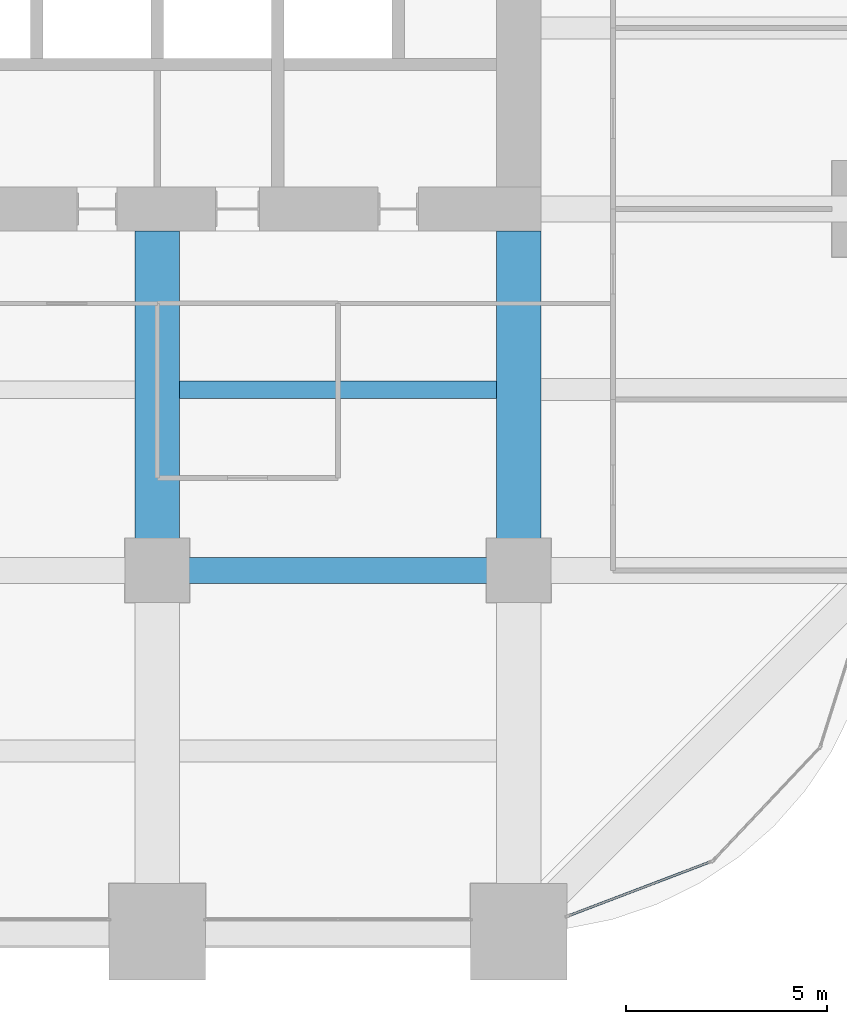
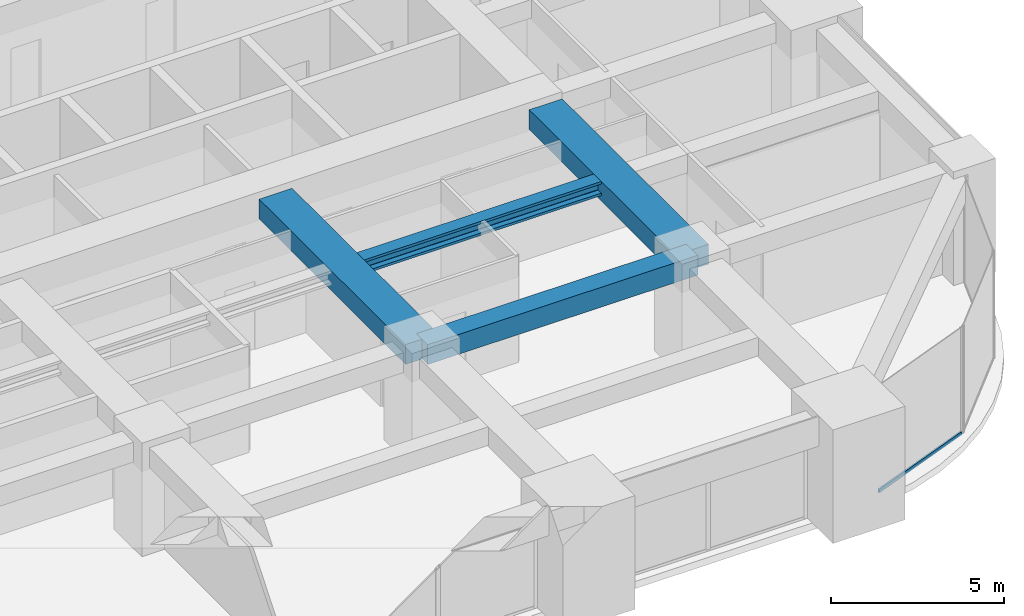
# One storey, part 15 of 32: 4 beams, 1 member, 1 element without a shape of its own.
"""IFC4 building model written with IfcOpenShell, lengths in metres."""

from ifc_helpers import new_model, si_unit, direction, frame, origin, origin_2d, place, context, subcontext, project, spatial, rectangle, hollow_rectangle, i_section, extrude, material, material_profile, profile_set, type_object, element, aggregate, save


model = new_model("IFC4")

# Units and contexts
model_context = context("Model", 3, precision=1e-05, world=origin(), true_north=direction((0.0, 1.0)))
body_context = subcontext(model_context, "Body", "Model", "MODEL_VIEW")
ifc_project = project(units=[si_unit("LENGTHUNIT", "METRE"), si_unit("AREAUNIT", "SQUARE_METRE"), si_unit("VOLUMEUNIT", "CUBIC_METRE"), si_unit("PLANEANGLEUNIT", "RADIAN"), si_unit("MASSUNIT", "GRAM", prefix="KILO")], contexts=[model_context])

# Site, building, storey
site_placement = place(None, origin())
site = spatial("IfcSite", under=ifc_project, at=site_placement, CompositionType="ELEMENT")
building_placement = place(site_placement, origin())
building = spatial("IfcBuilding", under=site, at=building_placement, Name="Zorevar Civic Tower", CompositionType="ELEMENT")
storey_placement = place(building_placement, frame((0.0, 0.0, 190.199951171875)))
storey = spatial("IfcBuildingStorey", under=building, at=storey_placement, Name="L46", CompositionType="ELEMENT", Elevation=190.199951171875)

# Beams
ifc_material_1 = material(Name="Concrete C50/60", Category="concrete")
ifc_material_profile_1 = material_profile(ifc_material_1, rectangle(XDim=1.10009765625, YDim=0.699951171875, at=origin_2d()), Name="RC 1100x700")
ifc_profile_set_1 = profile_set([ifc_material_profile_1], Name="Concrete C50/60")
beam_type_1 = type_object("IfcBeamType", Name="Beam RC 1100x700", PredefinedType="BEAM", material=ifc_profile_set_1)
for number, where, z_axis, x_axis, name in (
    (1, (36.0, 9.0, 3.400146484375), (0.0, 1.0, 0.0), (-1.0, 0.0, 0.0), "Girder L47"),
    (2, (45.0, 9.0, 3.400146484375), (0.0, 1.0, 0.0), (-1.0, 0.0, 0.0), "Girder L47"),
):
    element("IfcBeam", number, at=place(storey_placement, frame(where, z_axis=z_axis, x_axis=x_axis)), inside=storey, type_object=beam_type_1, Name=name, PredefinedType="BEAM", context=body_context, shape_type="SweptSolid", body=[
        extrude(rectangle(XDim=1.10009765625, YDim=0.699951171875, at=origin_2d()), origin(), (0.0, 0.0, 1.0), 8.449951171875),
    ])
ifc_material_2 = material(Name="Concrete C50/60", Category="concrete")
ifc_material_profile_2 = material_profile(ifc_material_2, rectangle(XDim=0.64990234375, YDim=0.699951171875, at=origin_2d()), Name="RC 650x700")
ifc_profile_set_2 = profile_set([ifc_material_profile_2], Name="Concrete C50/60")
beam_type_2 = type_object("IfcBeamType", Name="Beam RC 650x700", PredefinedType="BEAM", material=ifc_profile_set_2)
beam_1_placement = place(storey_placement, frame((36.0, 9.0, 3.400146484375), z_axis=(1.0, 0.0, 0.0), x_axis=(0.0, 1.0, 0.0)))
element("IfcBeam", 3, at=beam_1_placement, inside=storey, type_object=beam_type_2, Name="Girder L47", PredefinedType="BEAM", context=body_context, shape_type="SweptSolid", body=[
    extrude(rectangle(XDim=0.64990234375, YDim=0.699951171875, at=origin_2d()), origin(), (0.0, 0.0, 1.0), 9.0),
])

# Curtain wall, member
ifc_material_3 = material(Name="Dark grey solar-control glass in black aluminium frame", Category="aluminium")
curtain_wall_type = type_object("IfcCurtainWallType", Name="Curtain wall CW4 high zone", PredefinedType="NOTDEFINED", material=ifc_material_3)
curtain_wall_placement = place(storey_placement, origin())
curtain_wall = element("IfcCurtainWall", 4, at=curtain_wall_placement, inside=storey, type_object=curtain_wall_type, Name="CW4 L46", PredefinedType="NOTDEFINED")
ifc_material_4 = material(Name="Aluminium, black anodised", Category="aluminium")
ifc_material_profile_3 = material_profile(ifc_material_4, hollow_rectangle(XDim=0.06005859375, YDim=0.1201171875, WallThickness=0.0029296875, at=origin_2d()), Name="AL 120x60x3")
ifc_profile_set_3 = profile_set([ifc_material_profile_3], Name="Aluminium, black anodised")
member_type = type_object("IfcMemberType", Name="CW4 transom AL 120x60x3", PredefinedType="USERDEFINED", material=ifc_profile_set_3)
member_placement = place(storey_placement, frame((46.256103515625, 0.404541015625, 0.030029296875), z_axis=(0.934589335576, 0.355728511406, 0.0), x_axis=(-0.355728511406, 0.934589335576, 0.0)))
member = element("IfcMember", 5, at=member_placement, type_object=member_type, Name="CW4 sill transom", ObjectType="TRANSOM", PredefinedType="USERDEFINED", context=body_context, shape_type="SweptSolid", body=[
    extrude(hollow_rectangle(XDim=0.06005859375, YDim=0.1201171875, WallThickness=0.0029296875, at=origin_2d()), origin(), (0.0, 0.0, 1.0), 3.76708984375),
])
aggregate(curtain_wall, [member])

# Beam
ifc_material_5 = material(Name="Steel S460M (HISTAR 460)", Category="steel")
ifc_material_profile_4 = material_profile(ifc_material_5, i_section(OverallWidth=0.431884765625, OverallDepth=0.498046875, WebThickness=0.0556640625, FlangeThickness=0.0888671875, FilletRadius=0.014892578125, at=origin_2d()), Name="HD 400x744")
ifc_profile_set_4 = profile_set([ifc_material_profile_4], Name="Steel S460M (HISTAR 460)")
beam_type_3 = type_object("IfcBeamType", Name="Core bay beam HD 400x744", PredefinedType="BEAM", material=ifc_profile_set_4)
beam_2_placement = place(storey_placement, frame((36.550048828125, 13.5, 3.5009765625), z_axis=(1.0, 0.0, 0.0), x_axis=(0.0, 1.0, 0.0)))
element("IfcBeam", 6, at=beam_2_placement, inside=storey, type_object=beam_type_3, Name="Secondary beam L47", PredefinedType="BEAM", context=body_context, shape_type="SweptSolid", body=[
    extrude(i_section(OverallWidth=0.431884765625, OverallDepth=0.498046875, WebThickness=0.0556640625, FlangeThickness=0.0888671875, FilletRadius=0.014892578125, at=origin_2d()), origin(), (0.0, 0.0, 1.0), 7.89990234375),
])

save(model, "model.ifc")
